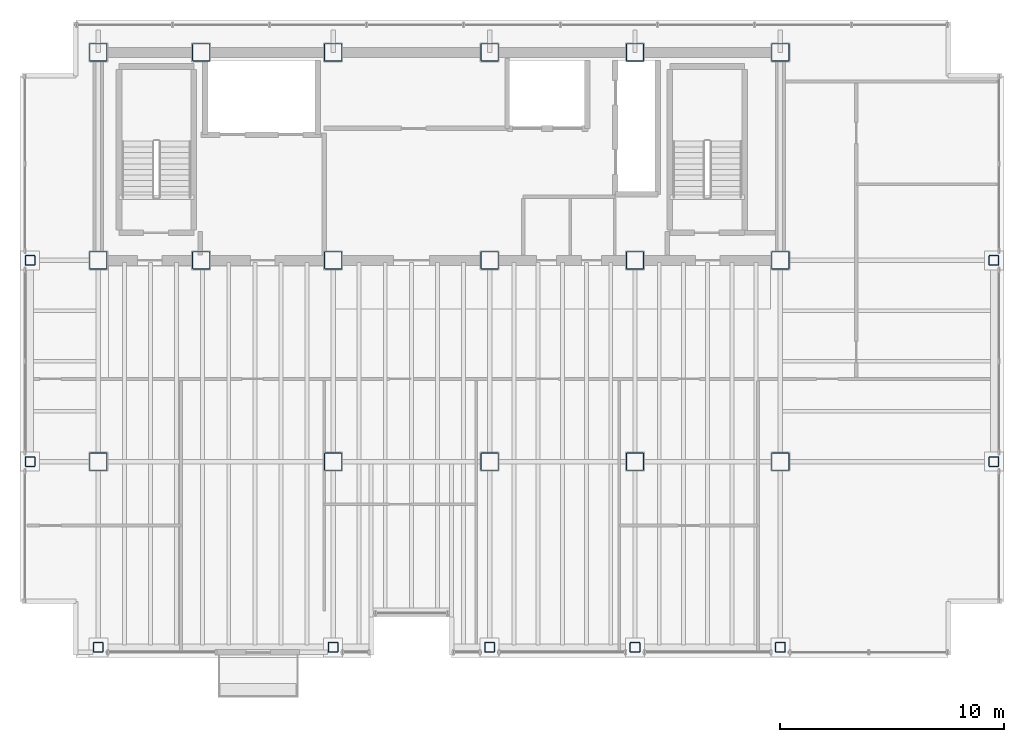
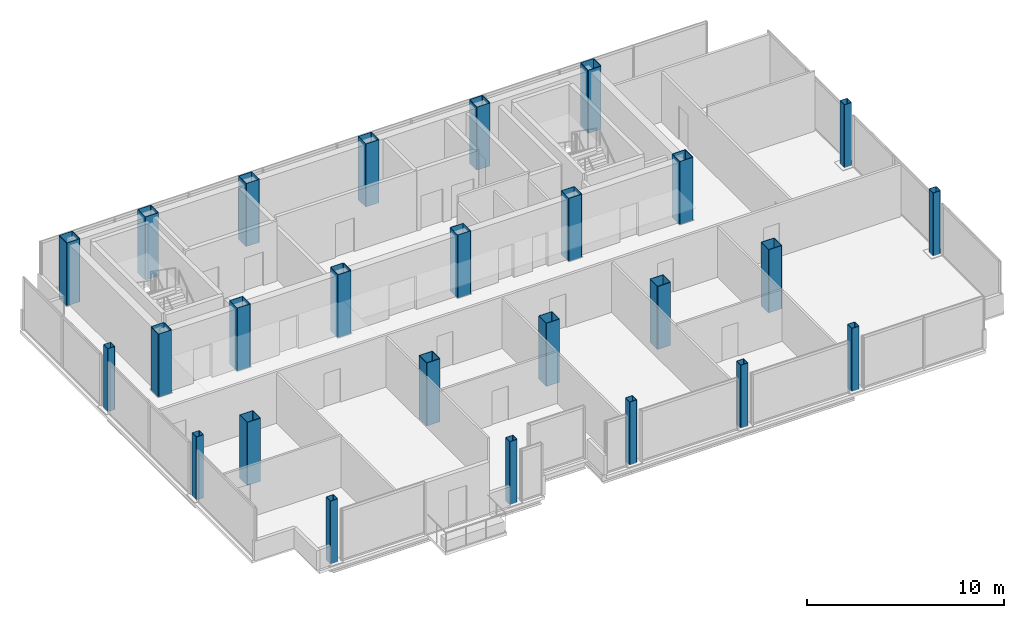
# One storey, part 1 of 15: 26 columns.
"""IFC4 building model written with IfcOpenShell, lengths in metres."""

import ifcopenshell
import ifcopenshell.guid

model = None  # the IFC model being written
_history = None  # IfcOwnerHistory: only IFC2X3 demands one
_inside = {}  # id of a spatial element -> (the spatial element, [elements in it])
_under = {}  # id of a project, library or spatial element -> (it, [spatial elements below it])
_declared = {}  # id of a project -> (the project, [libraries it declares])
_typed = {}  # id of a type object -> (the type object, [elements of that type])
_made_of = {}  # id of a material, layer set ... -> (it, [elements and type objects made of it])


def new_model(schema):
    """Start an empty IFC model of exactly this schema.

    Asked for "IFC4X3", IfcOpenShell would pick the latest addendum, in which some entities
    have other attributes; the version numbers below select the first issue.
    IFC2X3 requires an IfcOwnerHistory on every rooted entity: one is made here for all.
    """
    global model, _history
    if schema == "IFC4X3":
        model = ifcopenshell.file(schema_version=(4, 3, 0, 0))
    else:
        model = ifcopenshell.file(schema=schema)
    _inside.clear()
    _under.clear()
    _declared.clear()
    _typed.clear()
    _made_of.clear()
    _history = None
    if model.schema == "IFC2X3":
        org = make("IfcOrganization", Name="unknown")
        user = make(
            "IfcPersonAndOrganization",
            ThePerson=make("IfcPerson", FamilyName="unknown"),
            TheOrganization=org,
        )
        app = make(
            "IfcApplication",
            ApplicationDeveloper=org,
            Version="unknown",
            ApplicationFullName="unknown",
            ApplicationIdentifier="unknown",
        )
        _history = make(
            "IfcOwnerHistory",
            OwningUser=user,
            OwningApplication=app,
            ChangeAction="ADDED",
            CreationDate=0,
        )
    return model


def make(cls, **values):
    """One entity of the class cls with the attributes given. An attribute that is None is left unset."""
    return model.create_entity(
        cls, **{name: value for name, value in values.items() if value is not None}
    )


def rooted(cls, **values):
    """An entity with a GlobalId (a new one), such as an element, a storey or a relation."""
    return make(cls, GlobalId=ifcopenshell.guid.new(), OwnerHistory=_history, **values)


def si_unit(unit_type, name, prefix=None):
    """IfcSIUnit, for example si_unit("LENGTHUNIT", "METRE", prefix="MILLI")."""
    return make("IfcSIUnit", UnitType=unit_type, Prefix=prefix, Name=name)


def assignment(units):
    """IfcUnitAssignment: the units of a project."""
    return None if units is None else make("IfcUnitAssignment", Units=units)


def point(xyz):
    """IfcCartesianPoint."""
    return None if xyz is None else make("IfcCartesianPoint", Coordinates=xyz)


def direction(xyz):
    """IfcDirection."""
    return None if xyz is None else make("IfcDirection", DirectionRatios=xyz)


def frame(location, z_axis=None, x_axis=None):
    """IfcAxis2Placement3D, a coordinate frame: its origin and axes. An axis left out is left unset."""
    return make(
        "IfcAxis2Placement3D",
        Location=point(location),
        Axis=direction(z_axis),
        RefDirection=direction(x_axis),
    )


def frame_2d(location, x_axis=None):
    """IfcAxis2Placement2D, a coordinate frame in the plane: its origin and x axis."""
    return make(
        "IfcAxis2Placement2D", Location=point(location), RefDirection=direction(x_axis)
    )


def origin():
    """The frame at (0, 0, 0) with its axes left unset."""
    return frame((0.0, 0.0, 0.0))


def origin_2d():
    """The frame at (0, 0) in the plane with its x axis left unset."""
    return frame_2d((0.0, 0.0))


def place(relative_to, where):
    """IfcLocalPlacement: puts the frame where relative to a parent placement (None: the world)."""
    return make(
        "IfcLocalPlacement", PlacementRelTo=relative_to, RelativePlacement=where
    )


def context(
    kind, dimensions, precision=None, world=None, true_north=None, identifier=None
):
    """IfcGeometricRepresentationContext, for example the 3D "Model" context."""
    return make(
        "IfcGeometricRepresentationContext",
        ContextIdentifier=identifier,
        ContextType=kind,
        CoordinateSpaceDimension=dimensions,
        Precision=precision,
        WorldCoordinateSystem=world,
        TrueNorth=true_north,
    )


def subcontext(parent, identifier, kind, view, scale=None):
    """IfcGeometricRepresentationSubContext, for example "Body" below "Model"."""
    return make(
        "IfcGeometricRepresentationSubContext",
        ContextIdentifier=identifier,
        ContextType=kind,
        ParentContext=parent,
        TargetScale=scale,
        TargetView=view,
    )


def project(units=None, contexts=None):
    """IfcProject with its units and contexts."""
    return rooted(
        "IfcProject",
        Name="project",
        RepresentationContexts=contexts,
        UnitsInContext=assignment(units),
    )


def spatial(cls, under=None, at=None, **own):
    """A site, building, storey or space (cls), placed at a placement, below another one or the project."""
    s = rooted(cls, ObjectPlacement=at, **own)
    if under is not None:
        _under.setdefault(under.id(), (under, []))[1].append(s)
    return s


def profile(cls, at=None, kind="AREA", **sizes):
    """A parametric profile (cls). Its sizes go by their IFC names, for example OverallWidth=200.0."""
    return make(cls, ProfileType=kind, Position=at, **sizes)


def hollow_rectangle(**sizes):
    """IfcRectangleHollowProfileDef."""
    return profile("IfcRectangleHollowProfileDef", **sizes)


def extrude(swept, where, along, depth):
    """IfcExtrudedAreaSolid: the profile swept, set in the frame where, extruded along a direction by depth."""
    return make(
        "IfcExtrudedAreaSolid",
        SweptArea=swept,
        Position=where,
        ExtrudedDirection=direction(along),
        Depth=depth,
    )


def shape(context_of_items, identifier, shape_type, items):
    """IfcShapeRepresentation: the items that make up one representation, for example the "Body"."""
    return make(
        "IfcShapeRepresentation",
        ContextOfItems=context_of_items,
        RepresentationIdentifier=identifier,
        RepresentationType=shape_type,
        Items=items,
    )


def material(Name=None, Category=None):
    """IfcMaterial."""
    return make("IfcMaterial", Name=Name, Category=Category)


def material_profile(
    of_material, cross_section, Name=None, Category=None, Priority=None
):
    """IfcMaterialProfile: a cross section and its material."""
    return make(
        "IfcMaterialProfile",
        Name=Name,
        Material=of_material,
        Profile=cross_section,
        Priority=Priority,
        Category=Category,
    )


def profile_set(profiles, Name=None, composite=None):
    """IfcMaterialProfileSet."""
    return make(
        "IfcMaterialProfileSet",
        Name=Name,
        MaterialProfiles=profiles,
        CompositeProfile=composite,
    )


def made_of(thing, what):
    """Note that an element or type object is made of a material, layer set ...; save() writes the relation."""
    if what is not None:
        _made_of.setdefault(what.id(), (what, []))[1].append(thing)
    return thing


def type_object(cls, material=None, **own):
    """A type object (cls), such as IfcWallType, which elements share."""
    return made_of(rooted(cls, **own), material)


def element(
    cls,
    number,
    at=None,
    inside=None,
    cuts=None,
    type_object=None,
    material=None,
    context=None,
    identifier="Body",
    shape_type=None,
    held_by="IfcProductDefinitionShape",
    body=None,
    shapes=None,
    **own,
):
    """One element of the class cls, such as IfcWall. Its Tag is "e" and its number.

    at: its placement. inside: the storey or other place that contains it. cuts: it is an
    opening in that element (IfcRelVoidsElement). A single representation is given by context,
    identifier, shape_type and body (its items); several are given by shapes. held_by: the class
    of the entity that holds the representations. save() writes the other relations.
    """
    e = rooted(cls, Tag="e%d" % number, ObjectPlacement=at, **own)
    if body is not None:
        shapes = [shape(context, identifier, shape_type, body)]
    if shapes is not None:
        e.Representation = make(held_by, Representations=shapes)
    if inside is not None:
        _inside.setdefault(inside.id(), (inside, []))[1].append(e)
    if cuts is not None:
        rooted(
            "IfcRelVoidsElement", RelatingBuildingElement=cuts, RelatedOpeningElement=e
        )
    if type_object is not None:
        _typed.setdefault(type_object.id(), (type_object, []))[1].append(e)
    return made_of(e, material)


def aggregate(whole, parts):
    """IfcRelAggregates: a whole, such as a stair, and the parts it consists of."""
    return rooted("IfcRelAggregates", RelatingObject=whole, RelatedObjects=parts)


def save(model, path):
    """Write the relations noted so far, then the file.

    IfcRelAggregates (storeys below a building ...), IfcRelContainedInSpatialStructure (elements
    in a storey), IfcRelDefinesByType, IfcRelAssociatesMaterial and IfcRelDeclares: one each for
    every whole, place, type object, material and project.
    """
    for whole, parts in _under.values():
        aggregate(whole, parts)
    for where, things in _inside.values():
        rooted(
            "IfcRelContainedInSpatialStructure",
            RelatedElements=things,
            RelatingStructure=where,
        )
    for kind, things in _typed.values():
        rooted("IfcRelDefinesByType", RelatedObjects=things, RelatingType=kind)
    for what, things in _made_of.values():
        rooted("IfcRelAssociatesMaterial", RelatedObjects=things, RelatingMaterial=what)
    for by, libraries in _declared.values():
        rooted("IfcRelDeclares", RelatingContext=by, RelatedDefinitions=libraries)
    model.write(path)


model = new_model("IFC4")

# Units and contexts
model_context = context("Model", 3, precision=1e-05, world=origin(), true_north=direction((0.0, 1.0)))
body_context = subcontext(model_context, "Body", "Model", "MODEL_VIEW")
ifc_project = project(units=[si_unit("LENGTHUNIT", "METRE"), si_unit("AREAUNIT", "SQUARE_METRE"), si_unit("VOLUMEUNIT", "CUBIC_METRE"), si_unit("PLANEANGLEUNIT", "RADIAN"), si_unit("MASSUNIT", "GRAM", prefix="KILO")], contexts=[model_context])

# Site, building, storey
site_placement = place(None, origin())
site = spatial("IfcSite", under=ifc_project, at=site_placement, CompositionType="ELEMENT")
building_placement = place(site_placement, origin())
building = spatial("IfcBuilding", under=site, at=building_placement, Name="Noeulbin Bourse Tower", CompositionType="ELEMENT")
storey_placement = place(building_placement, frame((0.0, 0.0, 222.800048828125)))
storey = spatial("IfcBuildingStorey", under=building, at=storey_placement, Name="L55", CompositionType="ELEMENT", Elevation=222.800048828125)

# Columns
ifc_material = material(Name="Steel S355", Category="steel")
ifc_material_profile_1 = material_profile(ifc_material, hollow_rectangle(XDim=0.449951171875, YDim=0.449951171875, WallThickness=0.02197265625, InnerFilletRadius=0.02197265625, OuterFilletRadius=0.0439453125, at=origin_2d()), Name="SHS-450x450x22", Category="LoadBearing")
ifc_profile_set_1 = profile_set([ifc_material_profile_1], Name="Steel S355")
column_type_1 = type_object("IfcColumnType", Name="COL-PER-Z3", PredefinedType="COLUMN", material=ifc_profile_set_1)
for number, where, z_axis, x_axis, name in (
    (1, (10.449951171875, 20.0, 0.0), (0.0, 0.0, 1.0), (1.0, 0.0, 0.0), "Tower Perimeter Column COL-PER-Z3 01"),
    (2, (10.449951171875, 29.0, 0.0), (0.0, 0.0, 1.0), (1.0, 0.0, 0.0), "Tower Perimeter Column COL-PER-Z3 02"),
    (3, (13.5, 11.699951171875, 0.0), (0.0, 0.0, 1.0), (1.0, 0.0, 0.0), "Tower Perimeter Column COL-PER-Z3 03"),
    (4, (24.0, 11.699951171875, 0.0), (0.0, 0.0, 1.0), (1.0, 0.0, 0.0), "Tower Perimeter Column COL-PER-Z3 04"),
    (5, (31.0, 11.699951171875, 0.0), (0.0, 0.0, 1.0), (1.0, 0.0, 0.0), "Tower Perimeter Column COL-PER-Z3 05"),
    (6, (37.5, 11.699951171875, 0.0), (0.0, 0.0, 1.0), (1.0, 0.0, 0.0), "Tower Perimeter Column COL-PER-Z3 06"),
    (7, (44.0, 11.699951171875, 0.0), (0.0, 0.0, 1.0), (1.0, 0.0, 0.0), "Tower Perimeter Column COL-PER-Z3 07"),
    (8, (53.550048828125, 20.0, 0.0), (0.0, 0.0, 1.0), (1.0, 0.0, 0.0), "Tower Perimeter Column COL-PER-Z3 08"),
    (9, (53.550048828125, 29.0, 0.0), (0.0, 0.0, 1.0), (1.0, 0.0, 0.0), "Tower Perimeter Column COL-PER-Z3 09"),
):
    element("IfcColumn", number, at=place(storey_placement, frame(where, z_axis=z_axis, x_axis=x_axis)), inside=storey, type_object=column_type_1, Name=name, PredefinedType="COLUMN", context=body_context, shape_type="SweptSolid", body=[
        extrude(hollow_rectangle(XDim=0.449951171875, YDim=0.449951171875, WallThickness=0.02197265625, InnerFilletRadius=0.02197265625, OuterFilletRadius=0.0439453125, at=origin_2d()), origin(), (0.0, 0.0, 1.0), 3.89990234375),
    ])
ifc_material_profile_2 = material_profile(ifc_material, hollow_rectangle(XDim=0.800048828125, YDim=0.800048828125, WallThickness=0.031982421875, InnerFilletRadius=0.01611328125, OuterFilletRadius=0.048095703125, at=origin_2d()), Name="BOX-800x800x32", Category="LoadBearing")
ifc_profile_set_2 = profile_set([ifc_material_profile_2], Name="Steel S355")
column_type_2 = type_object("IfcColumnType", Name="COL-TRK-Z3", PredefinedType="COLUMN", material=ifc_profile_set_2)
for number, where, z_axis, x_axis, name in (
    (10, (13.5, 29.0, 0.0), (0.0, 0.0, 1.0), (1.0, 0.0, 0.0), "Tower Trunk Mega-Column COL-TRK-Z3 01"),
    (11, (13.5, 38.300048828125, 0.0), (0.0, 0.0, 1.0), (1.0, 0.0, 0.0), "Tower Trunk Mega-Column COL-TRK-Z3 02"),
    (12, (18.10009765625, 29.0, 0.0), (0.0, 0.0, 1.0), (1.0, 0.0, 0.0), "Tower Trunk Mega-Column COL-TRK-Z3 03"),
    (13, (18.10009765625, 38.300048828125, 0.0), (0.0, 0.0, 1.0), (1.0, 0.0, 0.0), "Tower Trunk Mega-Column COL-TRK-Z3 04"),
    (14, (24.0, 29.0, 0.0), (0.0, 0.0, 1.0), (1.0, 0.0, 0.0), "Tower Trunk Mega-Column COL-TRK-Z3 05"),
    (15, (24.0, 38.300048828125, 0.0), (0.0, 0.0, 1.0), (1.0, 0.0, 0.0), "Tower Trunk Mega-Column COL-TRK-Z3 06"),
    (16, (31.0, 29.0, 0.0), (0.0, 0.0, 1.0), (1.0, 0.0, 0.0), "Tower Trunk Mega-Column COL-TRK-Z3 07"),
    (17, (31.0, 38.300048828125, 0.0), (0.0, 0.0, 1.0), (1.0, 0.0, 0.0), "Tower Trunk Mega-Column COL-TRK-Z3 08"),
    (18, (37.5, 29.0, 0.0), (0.0, 0.0, 1.0), (1.0, 0.0, 0.0), "Tower Trunk Mega-Column COL-TRK-Z3 09"),
    (19, (37.5, 38.300048828125, 0.0), (0.0, 0.0, 1.0), (1.0, 0.0, 0.0), "Tower Trunk Mega-Column COL-TRK-Z3 10"),
    (20, (44.0, 29.0, 0.0), (0.0, 0.0, 1.0), (1.0, 0.0, 0.0), "Tower Trunk Mega-Column COL-TRK-Z3 11"),
    (21, (44.0, 38.300048828125, 0.0), (0.0, 0.0, 1.0), (1.0, 0.0, 0.0), "Tower Trunk Mega-Column COL-TRK-Z3 12"),
    (22, (13.5, 20.0, 0.0), (0.0, 0.0, 1.0), (1.0, 0.0, 0.0), "Tower Trunk Mega-Column COL-TRK-Z3 13"),
    (23, (24.0, 20.0, 0.0), (0.0, 0.0, 1.0), (1.0, 0.0, 0.0), "Tower Trunk Mega-Column COL-TRK-Z3 14"),
    (24, (31.0, 20.0, 0.0), (0.0, 0.0, 1.0), (1.0, 0.0, 0.0), "Tower Trunk Mega-Column COL-TRK-Z3 15"),
    (25, (37.5, 20.0, 0.0), (0.0, 0.0, 1.0), (1.0, 0.0, 0.0), "Tower Trunk Mega-Column COL-TRK-Z3 16"),
    (26, (44.0, 20.0, 0.0), (0.0, 0.0, 1.0), (1.0, 0.0, 0.0), "Tower Trunk Mega-Column COL-TRK-Z3 17"),
):
    element("IfcColumn", number, at=place(storey_placement, frame(where, z_axis=z_axis, x_axis=x_axis)), inside=storey, type_object=column_type_2, Name=name, PredefinedType="COLUMN", context=body_context, shape_type="SweptSolid", body=[
        extrude(hollow_rectangle(XDim=0.800048828125, YDim=0.800048828125, WallThickness=0.031982421875, InnerFilletRadius=0.01611328125, OuterFilletRadius=0.048095703125, at=origin_2d()), origin(), (0.0, 0.0, 1.0), 3.89990234375),
    ])

save(model, "model.ifc")
